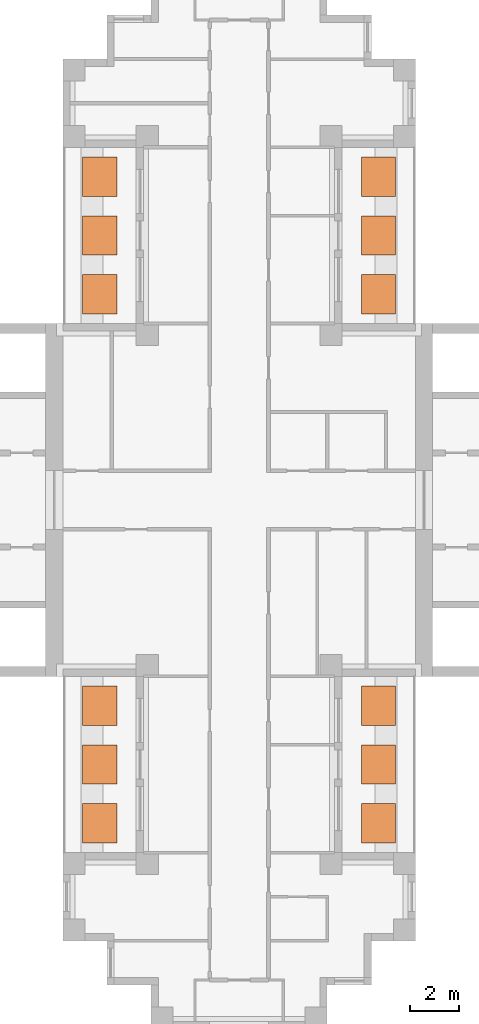
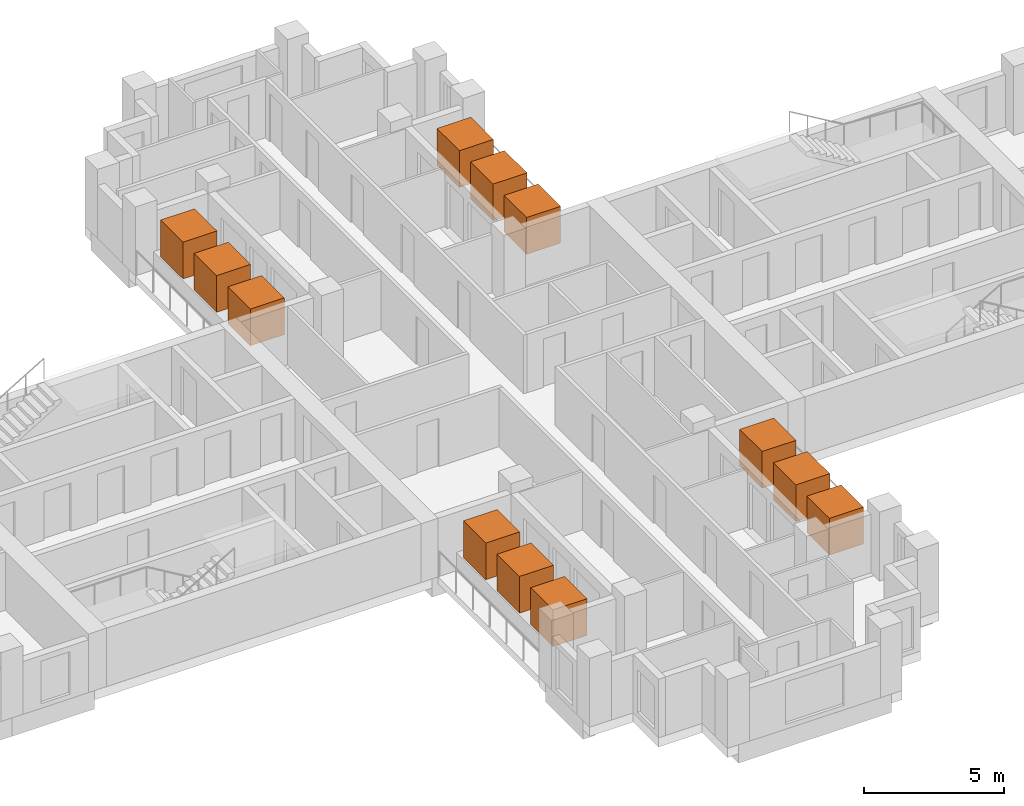
# One storey, part 10 of 10: 12 geographic elements.
"""IFC4 building model written with IfcOpenShell, lengths in metres."""

from ifc_helpers import new_model, si_unit, direction, frame, origin, origin_2d, place, context, subcontext, project, spatial, rectangle, extrude, material, element, save


model = new_model("IFC4")

# Units and contexts
model_context = context("Model", 3, precision=1e-05, world=origin(), true_north=direction((0.0, 1.0)))
body_context = subcontext(model_context, "Body", "Model", "MODEL_VIEW")
ifc_project = project(units=[si_unit("LENGTHUNIT", "METRE"), si_unit("AREAUNIT", "SQUARE_METRE"), si_unit("VOLUMEUNIT", "CUBIC_METRE"), si_unit("PLANEANGLEUNIT", "RADIAN"), si_unit("MASSUNIT", "GRAM", prefix="KILO")], contexts=[model_context])

# Site, building, storey
site_placement = place(None, origin())
site = spatial("IfcSite", under=ifc_project, at=site_placement, CompositionType="ELEMENT")
building_placement = place(site_placement, origin())
building = spatial("IfcBuilding", under=site, at=building_placement, Name="Fustian Cross Tower", CompositionType="ELEMENT")
storey_placement = place(building_placement, frame((0.0, 0.0, 191.699951171875)))
storey = spatial("IfcBuildingStorey", under=building, at=storey_placement, Name="L60", CompositionType="ELEMENT", Elevation=191.699951171875)

# Geographic elements
ifc_material = material(Name="Evergreen foliage")
for number, where, z_axis, x_axis, name in (
    (1, (5.68994140625, 8.39990234375, 0.800048828125), (0.0, 0.0, 1.0), (1.0, 0.0, 0.0), "TREE field maple"),
    (2, (5.68994140625, 10.800048828125, 0.800048828125), (0.0, 0.0, 1.0), (1.0, 0.0, 0.0), "TREE field maple"),
    (3, (5.68994140625, 13.199951171875, 0.800048828125), (0.0, 0.0, 1.0), (1.0, 0.0, 0.0), "TREE field maple"),
    (4, (-5.68994140625, 8.39990234375, 0.800048828125), (0.0, 0.0, 1.0), (1.0, 0.0, 0.0), "TREE field maple"),
    (5, (-5.68994140625, 10.800048828125, 0.800048828125), (0.0, 0.0, 1.0), (1.0, 0.0, 0.0), "TREE field maple"),
    (6, (-5.68994140625, 13.199951171875, 0.800048828125), (0.0, 0.0, 1.0), (1.0, 0.0, 0.0), "TREE field maple"),
    (7, (5.68994140625, -13.199951171875, 0.800048828125), (0.0, 0.0, 1.0), (1.0, 0.0, 0.0), "TREE field maple"),
    (8, (5.68994140625, -10.800048828125, 0.800048828125), (0.0, 0.0, 1.0), (1.0, 0.0, 0.0), "TREE field maple"),
    (9, (5.68994140625, -8.39990234375, 0.800048828125), (0.0, 0.0, 1.0), (1.0, 0.0, 0.0), "TREE field maple"),
    (10, (-5.68994140625, -13.199951171875, 0.800048828125), (0.0, 0.0, 1.0), (1.0, 0.0, 0.0), "TREE field maple"),
    (11, (-5.68994140625, -10.800048828125, 0.800048828125), (0.0, 0.0, 1.0), (1.0, 0.0, 0.0), "TREE field maple"),
    (12, (-5.68994140625, -8.39990234375, 0.800048828125), (0.0, 0.0, 1.0), (1.0, 0.0, 0.0), "TREE field maple"),
):
    element("IfcGeographicElement", number, at=place(storey_placement, frame(where, z_axis=z_axis, x_axis=x_axis)), inside=storey, material=ifc_material, Name=name, ObjectType="VEGETATION", PredefinedType="USERDEFINED", context=body_context, shape_type="SweptSolid", body=[
        extrude(rectangle(XDim=1.39990234375, YDim=1.60009765625, at=origin_2d()), origin(), (0.0, 0.0, 1.0), 1.60009765625),
    ])

save(model, "model.ifc")
